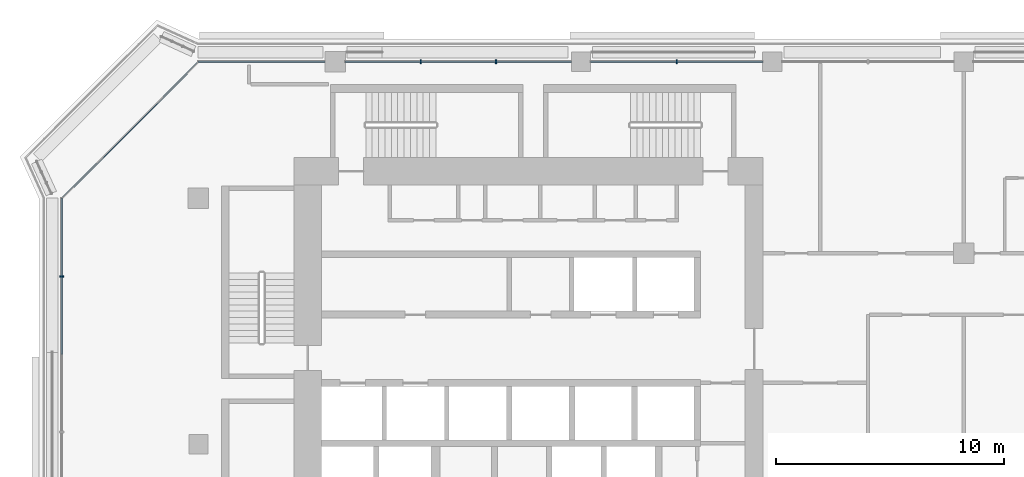
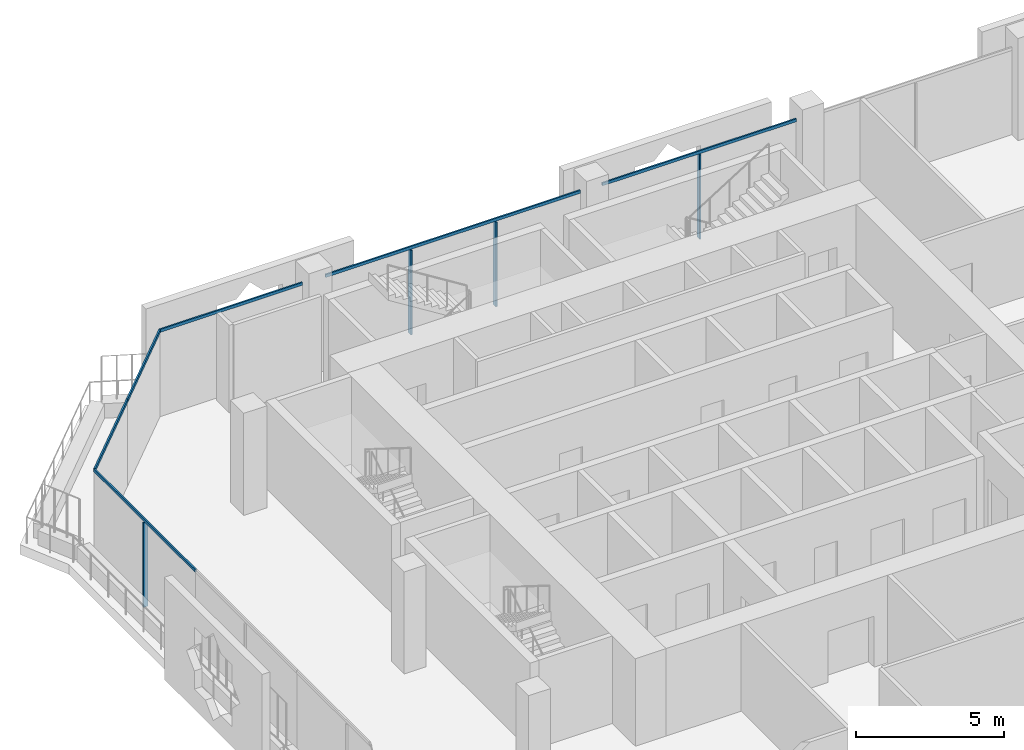
# One storey, part 5 of 20: 10 members, 3 elements without a shape of their own.
"""IFC4 building model written with IfcOpenShell, lengths in metres."""

from ifc_helpers import new_model, si_unit, direction, frame, origin, origin_2d, place, context, subcontext, project, spatial, rectangle, extrude, material, layer, layer_set, material_profile, profile_set, type_object, element, aggregate, save


model = new_model("IFC4")

# Units and contexts
model_context = context("Model", 3, precision=1e-05, world=origin(), true_north=direction((0.0, 1.0)))
body_context = subcontext(model_context, "Body", "Model", "MODEL_VIEW")
ifc_project = project(units=[si_unit("LENGTHUNIT", "METRE"), si_unit("AREAUNIT", "SQUARE_METRE"), si_unit("VOLUMEUNIT", "CUBIC_METRE"), si_unit("PLANEANGLEUNIT", "RADIAN"), si_unit("MASSUNIT", "GRAM", prefix="KILO")], contexts=[model_context])

# Site, building, storey
site_placement = place(None, origin())
site = spatial("IfcSite", under=ifc_project, at=site_placement, CompositionType="ELEMENT")
building_placement = place(site_placement, origin())
building = spatial("IfcBuilding", under=site, at=building_placement, Name="Kawkab Arch Medical Tower", CompositionType="ELEMENT")
storey_placement = place(building_placement, frame((0.0, 0.0, 239.0)))
storey = spatial("IfcBuildingStorey", under=building, at=storey_placement, Name="L55", CompositionType="ELEMENT", Elevation=239.0)

# Curtain wall, member
ifc_material_1 = material(Name="Bronze anodised aluminium curtain wall frame", Category="aluminium")
ifc_layer_1 = layer(ifc_material_1, 0.159912109375)
ifc_layer_set_1 = layer_set([ifc_layer_1], Name="Bronze anodised aluminium curtain wall frame")
curtain_wall_type_1 = type_object("IfcCurtainWallType", Name="CW1 ward curtain wall", PredefinedType="NOTDEFINED", material=ifc_layer_set_1)
placement = place(storey_placement, origin())
curtain_wall_1 = element("IfcCurtainWall", 1, at=placement, inside=storey, type_object=curtain_wall_type_1, Name="CW1 Ward curtain wall R01", PredefinedType="NOTDEFINED")
ifc_material_2 = material(Name="Bronze anodised aluminium curtain wall frame", Category="aluminium")
ifc_material_profile_1 = material_profile(ifc_material_2, rectangle(XDim=0.179931640625, YDim=0.06005859375, at=origin_2d()), Name="AL 60x180")
ifc_profile_set_1 = profile_set([ifc_material_profile_1], Name="Bronze anodised aluminium curtain wall frame")
member_type_1 = type_object("IfcMemberType", Name="CW1 mullion 60 x 180", PredefinedType="MULLION", material=ifc_profile_set_1)
member_1_placement = place(storey_placement, frame((-6.0, -9.419921875, 0.0), z_axis=(0.0, 0.0, 1.0), x_axis=(1.0, 0.0, 0.0)))
member_1 = element("IfcMember", 2, at=member_1_placement, type_object=member_type_1, Name="CW1 mullion 1.1", PredefinedType="MULLION", context=body_context, shape_type="SweptSolid", body=[
    extrude(rectangle(XDim=0.179931640625, YDim=0.06005859375, at=origin_2d()), origin(), (0.0, 0.0, 1.0), 3.47998046875),
])

# Curtain wall, members
curtain_wall_2 = element("IfcCurtainWall", 3, at=placement, inside=storey, type_object=curtain_wall_type_1, Name="CW1 Ward curtain wall R11", PredefinedType="NOTDEFINED")
member_2_placement = place(storey_placement, frame((21.0, 0.0, 0.0), z_axis=(0.0, 0.0, 1.0), x_axis=(0.0, -1.0, 0.0)))
member_2 = element("IfcMember", 4, at=member_2_placement, type_object=member_type_1, Name="CW1 mullion 5.1", PredefinedType="MULLION", context=body_context, shape_type="SweptSolid", body=[
    extrude(rectangle(XDim=0.179931640625, YDim=0.06005859375, at=origin_2d()), origin(), (0.0, 0.0, 1.0), 3.47998046875),
])
member_3_placement = place(storey_placement, frame((13.066650390625, 0.0, 0.0), z_axis=(0.0, 0.0, 1.0), x_axis=(0.0, -1.0, 0.0)))
member_3 = element("IfcMember", 5, at=member_3_placement, type_object=member_type_1, Name="CW1 mullion 6.1", PredefinedType="MULLION", context=body_context, shape_type="SweptSolid", body=[
    extrude(rectangle(XDim=0.179931640625, YDim=0.06005859375, at=origin_2d()), origin(), (0.0, 0.0, 1.0), 3.47998046875),
])
member_4_placement = place(storey_placement, frame((9.75830078125, 0.0, 0.0), z_axis=(0.0, 0.0, 1.0), x_axis=(0.0, -1.0, 0.0)))
member_4 = element("IfcMember", 6, at=member_4_placement, type_object=member_type_1, Name="CW1 mullion 6.2", PredefinedType="MULLION", context=body_context, shape_type="SweptSolid", body=[
    extrude(rectangle(XDim=0.179931640625, YDim=0.06005859375, at=origin_2d()), origin(), (0.0, 0.0, 1.0), 3.47998046875),
])

# Member
ifc_material_3 = material(Name="Bronze anodised aluminium curtain wall frame", Category="aluminium")
ifc_material_profile_2 = material_profile(ifc_material_3, rectangle(XDim=0.06005859375, YDim=0.1201171875, at=origin_2d()), Name="AL 60x120")
ifc_profile_set_2 = profile_set([ifc_material_profile_2], Name="Bronze anodised aluminium curtain wall frame")
member_type_2 = type_object("IfcMemberType", Name="CW1 transom 120 x 60", PredefinedType="USERDEFINED", material=ifc_profile_set_2)
member_5_placement = place(storey_placement, frame((-6.0, -6.0, 3.5400390625), z_axis=(0.0, -1.0, 0.0), x_axis=(1.0, 0.0, 0.0)))
member_5 = element("IfcMember", 7, at=member_5_placement, type_object=member_type_2, Name="CW1 transom 1", ObjectType="TRANSOM", PredefinedType="USERDEFINED", context=body_context, shape_type="SweptSolid", body=[
    extrude(rectangle(XDim=0.06005859375, YDim=0.1201171875, at=origin_2d()), origin(), (0.0, 0.0, 1.0), 6.840087890625),
])

aggregate(curtain_wall_1, [member_5, member_1])

member_6_placement = place(storey_placement, frame((24.77490234375, 0.0, 3.5400390625), z_axis=(-1.0, 0.0, 0.0), x_axis=(0.0, -1.0, 0.0)))
member_6 = element("IfcMember", 8, at=member_6_placement, type_object=member_type_2, Name="CW1 transom 5", ObjectType="TRANSOM", PredefinedType="USERDEFINED", context=body_context, shape_type="SweptSolid", body=[
    extrude(rectangle(XDim=0.06005859375, YDim=0.1201171875, at=origin_2d()), origin(), (0.0, 0.0, 1.0), 7.5498046875),
])

member_7_placement = place(storey_placement, frame((16.375, 0.0, 3.5400390625), z_axis=(-1.0, 0.0, 0.0), x_axis=(0.0, -1.0, 0.0)))
member_7 = element("IfcMember", 9, at=member_7_placement, type_object=member_type_2, Name="CW1 transom 6", ObjectType="TRANSOM", PredefinedType="USERDEFINED", context=body_context, shape_type="SweptSolid", body=[
    extrude(rectangle(XDim=0.06005859375, YDim=0.1201171875, at=origin_2d()), origin(), (0.0, 0.0, 1.0), 9.925048828125),
])

member_8_placement = place(storey_placement, frame((5.550048828125, 0.0, 3.5400390625), z_axis=(-1.0, 0.0, 0.0), x_axis=(0.0, -1.0, 0.0)))
member_8 = element("IfcMember", 10, at=member_8_placement, type_object=member_type_2, Name="CW1 transom 7", ObjectType="TRANSOM", PredefinedType="USERDEFINED", context=body_context, shape_type="SweptSolid", body=[
    extrude(rectangle(XDim=0.06005859375, YDim=0.1201171875, at=origin_2d()), origin(), (0.0, 0.0, 1.0), 5.550048828125),
])

aggregate(curtain_wall_2, [member_6, member_2, member_7, member_3, member_4, member_8])

# Curtain wall, members
ifc_material_4 = material(Name="Bronze anodised aluminium curtain wall frame", Category="aluminium")
ifc_layer_2 = layer(ifc_material_4, 0.159912109375)
ifc_layer_set_2 = layer_set([ifc_layer_2], Name="Bronze anodised aluminium curtain wall frame")
curtain_wall_type_2 = type_object("IfcCurtainWallType", Name="CW2 chamfer curtain wall", PredefinedType="NOTDEFINED", material=ifc_layer_set_2)
curtain_wall_3 = element("IfcCurtainWall", 11, at=placement, inside=storey, type_object=curtain_wall_type_2, Name="CW2 Chamfer curtain wall R12", PredefinedType="NOTDEFINED")
ifc_material_5 = material(Name="Bronze anodised aluminium curtain wall frame", Category="aluminium")
ifc_material_profile_3 = material_profile(ifc_material_5, rectangle(XDim=0.06005859375, YDim=0.139892578125, at=origin_2d()), Name="AL 60x140")
ifc_profile_set_3 = profile_set([ifc_material_profile_3], Name="Bronze anodised aluminium curtain wall frame")
member_type_3 = type_object("IfcMemberType", Name="CW2 transom 140 x 60", PredefinedType="USERDEFINED", material=ifc_profile_set_3)
member_9_placement = place(storey_placement, frame((0.0, 0.0, 3.530029296875), z_axis=(-0.707106781187, -0.707106781187, 0.0), x_axis=(0.707106781187, -0.707106781187, 0.0)))
member_9 = element("IfcMember", 12, at=member_9_placement, type_object=member_type_3, Name="CW2 transom 1", ObjectType="TRANSOM", PredefinedType="USERDEFINED", context=body_context, shape_type="SweptSolid", body=[
    extrude(rectangle(XDim=0.06005859375, YDim=0.139892578125, at=origin_2d()), origin(), (0.0, 0.0, 1.0), 4.24267578125),
])
member_10_placement = place(storey_placement, frame((-3.0, -3.0, 3.530029296875), z_axis=(-0.707106781187, -0.707106781187, 0.0), x_axis=(0.707106781187, -0.707106781187, 0.0)))
member_10 = element("IfcMember", 13, at=member_10_placement, type_object=member_type_3, Name="CW2 transom 2", ObjectType="TRANSOM", PredefinedType="USERDEFINED", context=body_context, shape_type="SweptSolid", body=[
    extrude(rectangle(XDim=0.06005859375, YDim=0.139892578125, at=origin_2d()), origin(), (0.0, 0.0, 1.0), 4.24267578125),
])
aggregate(curtain_wall_3, [member_9, member_10])

save(model, "model.ifc")
